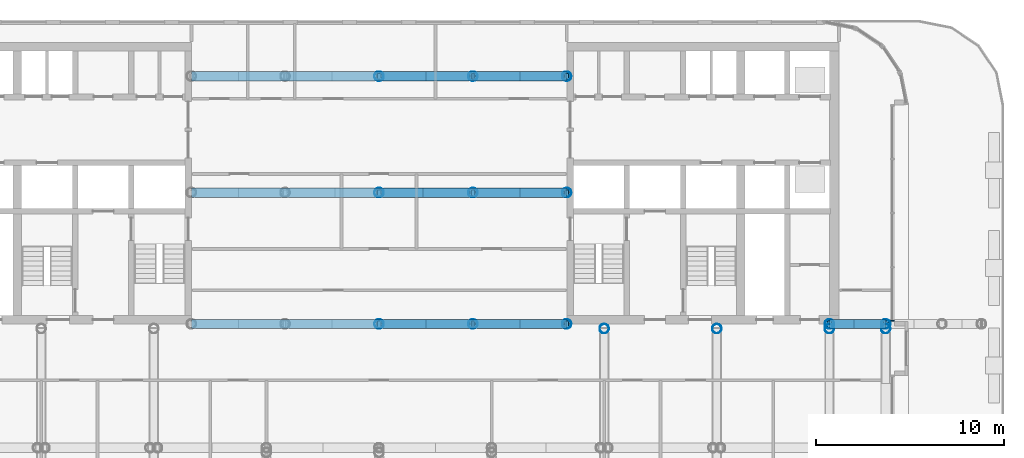
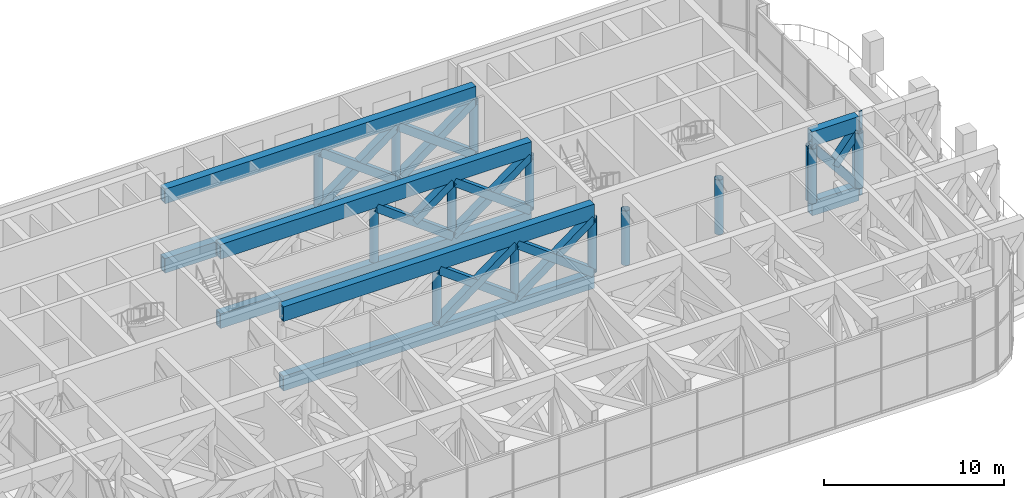
# One storey, part 7 of 25: 30 members, 8 beams, 1 element without a shape of its own.
"""IFC4 building model written with IfcOpenShell, lengths in metres."""

from ifc_helpers import new_model, si_unit, direction, frame, origin, origin_2d, place, context, subcontext, project, spatial, rectangle, hollow_rectangle, hollow_circle, extrude, material, layer, layer_set, material_profile, profile_set, type_object, element, aggregate, save


model = new_model("IFC4")

# Units and contexts
model_context = context("Model", 3, precision=1e-05, world=origin(), true_north=direction((0.0, 1.0)))
body_context = subcontext(model_context, "Body", "Model", "MODEL_VIEW")
ifc_project = project(units=[si_unit("LENGTHUNIT", "METRE"), si_unit("AREAUNIT", "SQUARE_METRE"), si_unit("VOLUMEUNIT", "CUBIC_METRE"), si_unit("PLANEANGLEUNIT", "RADIAN"), si_unit("MASSUNIT", "GRAM", prefix="KILO")], contexts=[model_context])

# Site, building, storey
site_placement = place(None, origin())
site = spatial("IfcSite", under=ifc_project, at=site_placement, CompositionType="ELEMENT")
building_placement = place(site_placement, origin())
building = spatial("IfcBuilding", under=site, at=building_placement, Name="Torana Hotel and Residences", CompositionType="ELEMENT")
storey_placement = place(building_placement, frame((0.0, 0.0, 106.800048828125)))
storey = spatial("IfcBuildingStorey", under=building, at=storey_placement, Name="L27", CompositionType="ELEMENT", Elevation=106.800048828125)

# Curtain wall, member
ifc_material_1 = material(Name="Dark anodised aluminium", Category="aluminium")
ifc_layer = layer(ifc_material_1, 0.199951171875)
ifc_layer_set = layer_set([ifc_layer], Name="CW2 SKY LOBBY UNITISED CURTAIN WALL")
curtain_wall_type = type_object("IfcCurtainWallType", Name="CW2 SKY LOBBY UNITISED CURTAIN WALL", PredefinedType="NOTDEFINED", material=ifc_layer_set)
curtain_wall_placement = place(storey_placement, origin())
curtain_wall = element("IfcCurtainWall", 1, at=curtain_wall_placement, inside=storey, type_object=curtain_wall_type, Name="Curtain wall CW2 L27 e0.19-2", PredefinedType="NOTDEFINED")
ifc_material_2 = material(Name="Dark anodised aluminium", Category="aluminium")
ifc_material_profile_1 = material_profile(ifc_material_2, rectangle(XDim=0.199951171875, YDim=0.070068359375, at=origin_2d()), Name="CW2 MULLION 70x200")
ifc_profile_set_1 = profile_set([ifc_material_profile_1], Name="Dark anodised aluminium")
member_type_1 = type_object("IfcMemberType", Name="CW2 MULLION 70x200", PredefinedType="MULLION", material=ifc_profile_set_1)
member_1_placement = place(storey_placement, frame((27.35498046875, -14.8232421875, 0.0), z_axis=(0.0, 0.0, 1.0), x_axis=(-1.0, 0.0, 0.0)))
member_1 = element("IfcMember", 2, at=member_1_placement, type_object=member_type_1, Name="CW2 mullion 1", PredefinedType="MULLION", context=body_context, shape_type="SweptSolid", body=[
    extrude(rectangle(XDim=0.199951171875, YDim=0.070068359375, at=origin_2d()), origin(), (0.0, 0.0, 1.0), 5.719970703125),
])
aggregate(curtain_wall, [member_1])

# Beams
ifc_material_3 = material(Name="Steel S355", Category="steel")
ifc_material_profile_2 = material_profile(ifc_material_3, hollow_rectangle(XDim=0.5, YDim=1.0, WallThickness=0.080078125, at=origin_2d()), Name="BOX 1000x500x80")
ifc_profile_set_2 = profile_set([ifc_material_profile_2], Name="Steel S355")
beam_type_1 = type_object("IfcBeamType", Name="STEEL BAND CHORD BOX 1000x500x80", PredefinedType="BEAM", material=ifc_profile_set_2)
for number, where, z_axis, x_axis, name in (
    (3, (-10.0, -15.0, 0.5), (1.0, 0.0, 0.0), (0.0, 1.0, 0.0), "Transfer chord L27"),
    (4, (-10.0, -15.0, 5.219970703125), (1.0, 0.0, 0.0), (0.0, 1.0, 0.0), "Transfer chord L27"),
    (5, (-10.0, -8.0, 0.5), (1.0, 0.0, 0.0), (0.0, 1.0, 0.0), "Transfer chord L27"),
    (6, (-10.0, -8.0, 5.219970703125), (1.0, 0.0, 0.0), (0.0, 1.0, 0.0), "Transfer chord L27"),
    (7, (-10.0, -1.800048828125, 0.5), (1.0, 0.0, 0.0), (0.0, 1.0, 0.0), "Transfer chord L27"),
    (8, (-10.0, -1.800048828125, 5.219970703125), (1.0, 0.0, 0.0), (0.0, 1.0, 0.0), "Transfer chord L27"),
):
    element("IfcBeam", number, at=place(storey_placement, frame(where, z_axis=z_axis, x_axis=x_axis)), inside=storey, type_object=beam_type_1, Name=name, PredefinedType="BEAM", context=body_context, shape_type="SweptSolid", body=[
        extrude(hollow_rectangle(XDim=0.5, YDim=1.0, WallThickness=0.080078125, at=origin_2d()), origin(), (0.0, 0.0, 1.0), 20.0),
    ])
ifc_material_4 = material(Name="Steel S355", Category="steel")
ifc_material_profile_3 = material_profile(ifc_material_4, hollow_rectangle(XDim=0.5, YDim=1.0, WallThickness=0.050048828125, at=origin_2d()), Name="BOX 1000x500x50")
ifc_profile_set_3 = profile_set([ifc_material_profile_3], Name="Steel S355")
beam_type_2 = type_object("IfcBeamType", Name="STEEL CHORD BOX 1000x500x50", PredefinedType="BEAM", material=ifc_profile_set_3)
for number, where, z_axis, x_axis, name in (
    (9, (24.0, -15.0, 0.5), (1.0, 0.0, 0.0), (0.0, 1.0, 0.0), "Transfer chord L27"),
    (10, (24.0, -15.0, 5.219970703125), (1.0, 0.0, 0.0), (0.0, 1.0, 0.0), "Transfer chord L27"),
):
    element("IfcBeam", number, at=place(storey_placement, frame(where, z_axis=z_axis, x_axis=x_axis)), inside=storey, type_object=beam_type_2, Name=name, PredefinedType="BEAM", context=body_context, shape_type="SweptSolid", body=[
        extrude(hollow_rectangle(XDim=0.5, YDim=1.0, WallThickness=0.050048828125, at=origin_2d()), origin(), (0.0, 0.0, 1.0), 3.0),
    ])

# Members
ifc_material_5 = material(Name="Steel S355", Category="steel")
ifc_material_profile_4 = material_profile(ifc_material_5, hollow_rectangle(XDim=0.5, YDim=0.5, WallThickness=0.10009765625, at=origin_2d()), Name="BOX 500x500x100")
ifc_profile_set_4 = profile_set([ifc_material_profile_4], Name="Steel S355")
member_type_2 = type_object("IfcMemberType", Name="STEEL DIAGONAL BOX 500x500x100", PredefinedType="BRACE", material=ifc_profile_set_4)
for number, where, z_axis, x_axis, name in (
    (11, (0.0, -15.0, 1.0), (0.802306956603, 0.0, 0.596911674695), (0.0, 1.0, 0.0), "Truss diagonal L27"),
    (12, (5.0, -15.0, 1.0), (-0.802306956603, 0.0, 0.596911674695), (0.0, -1.0, 0.0), "Truss diagonal L27"),
    (13, (5.0, -15.0, 1.0), (0.802306956603, 0.0, 0.596911674695), (0.0, 1.0, 0.0), "Truss diagonal L27"),
    (14, (10.0, -15.0, 1.0), (-0.802306956603, 0.0, 0.596911674695), (0.0, -1.0, 0.0), "Truss diagonal L27"),
):
    element("IfcMember", number, at=place(storey_placement, frame(where, z_axis=z_axis, x_axis=x_axis)), inside=storey, type_object=member_type_2, Name=name, PredefinedType="BRACE", context=body_context, shape_type="SweptSolid", body=[
        extrude(hollow_rectangle(XDim=0.5, YDim=0.5, WallThickness=0.10009765625, at=origin_2d()), origin(), (0.0, 0.0, 1.0), 6.23193359375),
    ])
member_2_placement = place(storey_placement, frame((2.5, -8.0, 2.85986328125), z_axis=(0.802288195418, 0.0, 0.596936890712), x_axis=(0.0, 1.0, 0.0)))
element("IfcMember", 15, at=member_2_placement, inside=storey, type_object=member_type_2, Name="Truss diagonal L27", PredefinedType="BRACE", context=body_context, shape_type="SweptSolid", body=[
    extrude(hollow_rectangle(XDim=0.5, YDim=0.5, WallThickness=0.10009765625, at=origin_2d()), origin(), (0.0, 0.0, 1.0), 3.115966796875),
])
for number, where, z_axis, x_axis, name in (
    (16, (5.0, -8.0, 1.0), (-0.802306956603, 0.0, 0.596911674695), (0.0, -1.0, 0.0), "Truss diagonal L27"),
    (17, (5.0, -8.0, 1.0), (0.802306956603, 0.0, 0.596911674695), (0.0, 1.0, 0.0), "Truss diagonal L27"),
    (18, (10.0, -8.0, 1.0), (-0.802306956603, 0.0, 0.596911674695), (0.0, -1.0, 0.0), "Truss diagonal L27"),
    (19, (0.0, -1.800048828125, 1.0), (0.802306956603, 0.0, 0.596911674695), (0.0, 1.0, 0.0), "Truss diagonal L27"),
    (20, (5.0, -1.800048828125, 1.0), (-0.802306956603, 0.0, 0.596911674695), (0.0, -1.0, 0.0), "Truss diagonal L27"),
    (21, (5.0, -1.800048828125, 1.0), (0.802306956603, 0.0, 0.596911674695), (0.0, 1.0, 0.0), "Truss diagonal L27"),
    (22, (10.0, -1.800048828125, 1.0), (-0.802306956603, 0.0, 0.596911674695), (0.0, -1.0, 0.0), "Truss diagonal L27"),
):
    element("IfcMember", number, at=place(storey_placement, frame(where, z_axis=z_axis, x_axis=x_axis)), inside=storey, type_object=member_type_2, Name=name, PredefinedType="BRACE", context=body_context, shape_type="SweptSolid", body=[
        extrude(hollow_rectangle(XDim=0.5, YDim=0.5, WallThickness=0.10009765625, at=origin_2d()), origin(), (0.0, 0.0, 1.0), 6.23193359375),
    ])
member_3_placement = place(storey_placement, frame((25.5, -15.0, 2.85986328125), z_axis=(0.627730483815, 0.0, 0.778430754588), x_axis=(0.0, 1.0, 0.0)))
element("IfcMember", 23, at=member_3_placement, inside=storey, type_object=member_type_2, Name="Truss diagonal L27", PredefinedType="BRACE", context=body_context, shape_type="SweptSolid", body=[
    extrude(hollow_rectangle(XDim=0.5, YDim=0.5, WallThickness=0.10009765625, at=origin_2d()), origin(), (0.0, 0.0, 1.0), 2.3896484375),
])
member_4_placement = place(storey_placement, frame((27.0, -15.0, 1.0), z_axis=(-0.627755446821, 0.0, 0.778410623634), x_axis=(0.0, -1.0, 0.0)))
element("IfcMember", 24, at=member_4_placement, inside=storey, type_object=member_type_2, Name="Truss diagonal L27", PredefinedType="BRACE", context=body_context, shape_type="SweptSolid", body=[
    extrude(hollow_rectangle(XDim=0.5, YDim=0.5, WallThickness=0.10009765625, at=origin_2d()), origin(), (0.0, 0.0, 1.0), 4.779052734375),
])
ifc_material_6 = material(Name="Steel S355", Category="steel")
ifc_material_profile_5 = material_profile(ifc_material_6, hollow_circle(Radius=0.25390625, WallThickness=0.01611328125, at=origin_2d()), Name="508x16 CHS")
ifc_profile_set_5 = profile_set([ifc_material_profile_5], Name="Steel S355")
member_type_3 = type_object("IfcMemberType", Name="STEEL POST 508x16 CHS", PredefinedType="POST", material=ifc_profile_set_5)
for number, where, z_axis, x_axis, name in (
    (25, (24.0, -15.0, 1.0), (0.0, 0.0, 1.0), (1.0, 0.0, 0.0), "Truss post L27"),
    (26, (27.0, -15.0, 1.0), (0.0, 0.0, 1.0), (1.0, 0.0, 0.0), "Truss post L27"),
    (27, (12.0, -15.25, 1.0), (0.0, 0.0, 1.0), (1.0, 0.0, 0.0), "Truss post L27"),
    (28, (18.0, -15.25, 1.0), (0.0, 0.0, 1.0), (1.0, 0.0, 0.0), "Truss post L27"),
    (29, (24.0, -15.25, 1.0), (0.0, 0.0, 1.0), (1.0, 0.0, 0.0), "Truss post L27"),
    (30, (27.0, -15.25, 1.0), (0.0, 0.0, 1.0), (1.0, 0.0, 0.0), "Truss post L27"),
    (31, (10.0, -15.0, 1.0), (0.0, 0.0, 1.0), (1.0, 0.0, 0.0), "Truss post L27"),
    (32, (10.0, -8.0, 1.0), (0.0, 0.0, 1.0), (1.0, 0.0, 0.0), "Truss post L27"),
    (33, (10.0, -1.800048828125, 1.0), (0.0, 0.0, 1.0), (1.0, 0.0, 0.0), "Truss post L27"),
    (34, (0.0, -15.0, 1.0), (0.0, 0.0, 1.0), (1.0, 0.0, 0.0), "Truss post L27"),
    (35, (5.0, -15.0, 1.0), (0.0, 0.0, 1.0), (1.0, 0.0, 0.0), "Truss post L27"),
    (36, (0.0, -8.0, 1.0), (0.0, 0.0, 1.0), (1.0, 0.0, 0.0), "Truss post L27"),
    (37, (5.0, -8.0, 1.0), (0.0, 0.0, 1.0), (1.0, 0.0, 0.0), "Truss post L27"),
    (38, (0.0, -1.800048828125, 1.0), (0.0, 0.0, 1.0), (1.0, 0.0, 0.0), "Truss post L27"),
    (39, (5.0, -1.800048828125, 1.0), (0.0, 0.0, 1.0), (1.0, 0.0, 0.0), "Truss post L27"),
):
    element("IfcMember", number, at=place(storey_placement, frame(where, z_axis=z_axis, x_axis=x_axis)), inside=storey, type_object=member_type_3, Name=name, PredefinedType="POST", context=body_context, shape_type="SweptSolid", body=[
        extrude(hollow_circle(Radius=0.25390625, WallThickness=0.01611328125, at=origin_2d()), origin(), (0.0, 0.0, 1.0), 3.719970703125),
    ])

save(model, "model.ifc")
